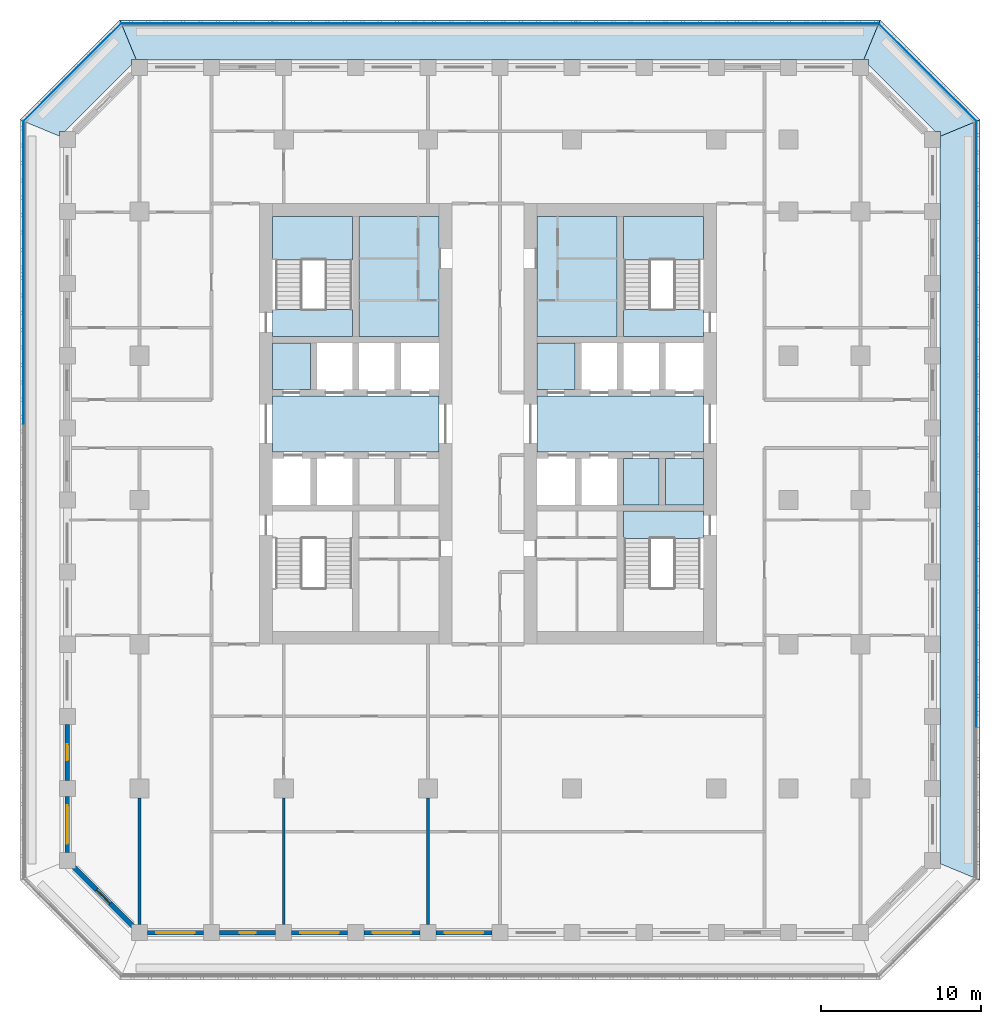
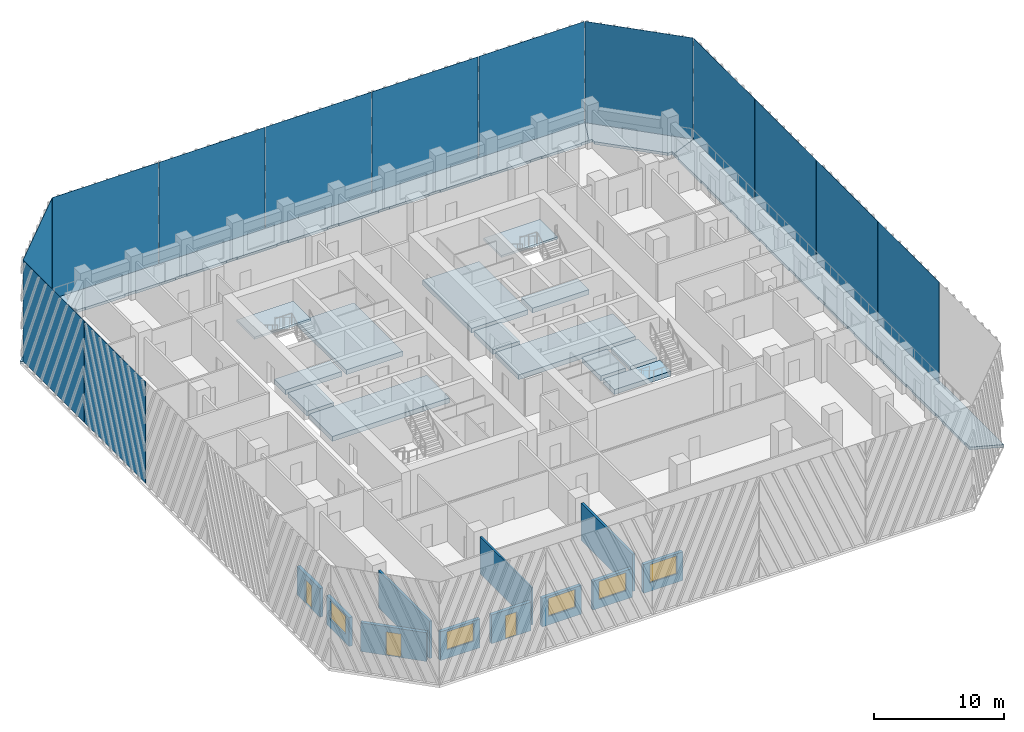
# One storey, part 2 of 17: 17 slabs, 13 plates, 11 walls, 5 windows, 3 doors, 8 openings, 2 elements without a shape of their own.
"""IFC4 building model written with IfcOpenShell, lengths in metres."""

import ifcopenshell
import ifcopenshell.guid

model = None  # the IFC model being written
_history = None  # IfcOwnerHistory: only IFC2X3 demands one
_inside = {}  # id of a spatial element -> (the spatial element, [elements in it])
_under = {}  # id of a project, library or spatial element -> (it, [spatial elements below it])
_declared = {}  # id of a project -> (the project, [libraries it declares])
_typed = {}  # id of a type object -> (the type object, [elements of that type])
_made_of = {}  # id of a material, layer set ... -> (it, [elements and type objects made of it])


def new_model(schema):
    """Start an empty IFC model of exactly this schema.

    Asked for "IFC4X3", IfcOpenShell would pick the latest addendum, in which some entities
    have other attributes; the version numbers below select the first issue.
    IFC2X3 requires an IfcOwnerHistory on every rooted entity: one is made here for all.
    """
    global model, _history
    if schema == "IFC4X3":
        model = ifcopenshell.file(schema_version=(4, 3, 0, 0))
    else:
        model = ifcopenshell.file(schema=schema)
    _inside.clear()
    _under.clear()
    _declared.clear()
    _typed.clear()
    _made_of.clear()
    _history = None
    if model.schema == "IFC2X3":
        org = make("IfcOrganization", Name="unknown")
        user = make(
            "IfcPersonAndOrganization",
            ThePerson=make("IfcPerson", FamilyName="unknown"),
            TheOrganization=org,
        )
        app = make(
            "IfcApplication",
            ApplicationDeveloper=org,
            Version="unknown",
            ApplicationFullName="unknown",
            ApplicationIdentifier="unknown",
        )
        _history = make(
            "IfcOwnerHistory",
            OwningUser=user,
            OwningApplication=app,
            ChangeAction="ADDED",
            CreationDate=0,
        )
    return model


def make(cls, **values):
    """One entity of the class cls with the attributes given. An attribute that is None is left unset."""
    return model.create_entity(
        cls, **{name: value for name, value in values.items() if value is not None}
    )


def rooted(cls, **values):
    """An entity with a GlobalId (a new one), such as an element, a storey or a relation."""
    return make(cls, GlobalId=ifcopenshell.guid.new(), OwnerHistory=_history, **values)


def si_unit(unit_type, name, prefix=None):
    """IfcSIUnit, for example si_unit("LENGTHUNIT", "METRE", prefix="MILLI")."""
    return make("IfcSIUnit", UnitType=unit_type, Prefix=prefix, Name=name)


def assignment(units):
    """IfcUnitAssignment: the units of a project."""
    return None if units is None else make("IfcUnitAssignment", Units=units)


def point(xyz):
    """IfcCartesianPoint."""
    return None if xyz is None else make("IfcCartesianPoint", Coordinates=xyz)


def direction(xyz):
    """IfcDirection."""
    return None if xyz is None else make("IfcDirection", DirectionRatios=xyz)


def frame(location, z_axis=None, x_axis=None):
    """IfcAxis2Placement3D, a coordinate frame: its origin and axes. An axis left out is left unset."""
    return make(
        "IfcAxis2Placement3D",
        Location=point(location),
        Axis=direction(z_axis),
        RefDirection=direction(x_axis),
    )


def frame_2d(location, x_axis=None):
    """IfcAxis2Placement2D, a coordinate frame in the plane: its origin and x axis."""
    return make(
        "IfcAxis2Placement2D", Location=point(location), RefDirection=direction(x_axis)
    )


def origin():
    """The frame at (0, 0, 0) with its axes left unset."""
    return frame((0.0, 0.0, 0.0))


def origin_2d():
    """The frame at (0, 0) in the plane with its x axis left unset."""
    return frame_2d((0.0, 0.0))


def place(relative_to, where):
    """IfcLocalPlacement: puts the frame where relative to a parent placement (None: the world)."""
    return make(
        "IfcLocalPlacement", PlacementRelTo=relative_to, RelativePlacement=where
    )


def context(
    kind, dimensions, precision=None, world=None, true_north=None, identifier=None
):
    """IfcGeometricRepresentationContext, for example the 3D "Model" context."""
    return make(
        "IfcGeometricRepresentationContext",
        ContextIdentifier=identifier,
        ContextType=kind,
        CoordinateSpaceDimension=dimensions,
        Precision=precision,
        WorldCoordinateSystem=world,
        TrueNorth=true_north,
    )


def subcontext(parent, identifier, kind, view, scale=None):
    """IfcGeometricRepresentationSubContext, for example "Body" below "Model"."""
    return make(
        "IfcGeometricRepresentationSubContext",
        ContextIdentifier=identifier,
        ContextType=kind,
        ParentContext=parent,
        TargetScale=scale,
        TargetView=view,
    )


def project(units=None, contexts=None):
    """IfcProject with its units and contexts."""
    return rooted(
        "IfcProject",
        Name="project",
        RepresentationContexts=contexts,
        UnitsInContext=assignment(units),
    )


def spatial(cls, under=None, at=None, **own):
    """A site, building, storey or space (cls), placed at a placement, below another one or the project."""
    s = rooted(cls, ObjectPlacement=at, **own)
    if under is not None:
        _under.setdefault(under.id(), (under, []))[1].append(s)
    return s


def polyline(points):
    """IfcPolyline through the points."""
    return make("IfcPolyline", Points=[point(p) for p in points])


def profile(cls, at=None, kind="AREA", **sizes):
    """A parametric profile (cls). Its sizes go by their IFC names, for example OverallWidth=200.0."""
    return make(cls, ProfileType=kind, Position=at, **sizes)


def rectangle(**sizes):
    """IfcRectangleProfileDef."""
    return profile("IfcRectangleProfileDef", **sizes)


def outline(outer, holes=None, kind="AREA"):
    """IfcArbitraryClosedProfileDef: a profile drawn as a closed curve; with holes, ...WithVoids."""
    if holes is None:
        return make("IfcArbitraryClosedProfileDef", ProfileType=kind, OuterCurve=outer)
    return make(
        "IfcArbitraryProfileDefWithVoids",
        ProfileType=kind,
        OuterCurve=outer,
        InnerCurves=holes,
    )


def extrude(swept, where, along, depth):
    """IfcExtrudedAreaSolid: the profile swept, set in the frame where, extruded along a direction by depth."""
    return make(
        "IfcExtrudedAreaSolid",
        SweptArea=swept,
        Position=where,
        ExtrudedDirection=direction(along),
        Depth=depth,
    )


def shape(context_of_items, identifier, shape_type, items):
    """IfcShapeRepresentation: the items that make up one representation, for example the "Body"."""
    return make(
        "IfcShapeRepresentation",
        ContextOfItems=context_of_items,
        RepresentationIdentifier=identifier,
        RepresentationType=shape_type,
        Items=items,
    )


def material(Name=None, Category=None):
    """IfcMaterial."""
    return make("IfcMaterial", Name=Name, Category=Category)


def layer(
    of_material, thickness, ventilated=None, Name=None, Category=None, Priority=None
):
    """IfcMaterialLayer: one layer of a wall or slab, of a material (None: an air gap)."""
    return make(
        "IfcMaterialLayer",
        Material=of_material,
        LayerThickness=thickness,
        IsVentilated=ventilated,
        Name=Name,
        Category=Category,
        Priority=Priority,
    )


def layer_set(layers, Name=None):
    """IfcMaterialLayerSet."""
    return make("IfcMaterialLayerSet", MaterialLayers=layers, LayerSetName=Name)


def made_of(thing, what):
    """Note that an element or type object is made of a material, layer set ...; save() writes the relation."""
    if what is not None:
        _made_of.setdefault(what.id(), (what, []))[1].append(thing)
    return thing


def type_object(cls, material=None, **own):
    """A type object (cls), such as IfcWallType, which elements share."""
    return made_of(rooted(cls, **own), material)


def element(
    cls,
    number,
    at=None,
    inside=None,
    cuts=None,
    type_object=None,
    material=None,
    context=None,
    identifier="Body",
    shape_type=None,
    held_by="IfcProductDefinitionShape",
    body=None,
    shapes=None,
    **own,
):
    """One element of the class cls, such as IfcWall. Its Tag is "e" and its number.

    at: its placement. inside: the storey or other place that contains it. cuts: it is an
    opening in that element (IfcRelVoidsElement). A single representation is given by context,
    identifier, shape_type and body (its items); several are given by shapes. held_by: the class
    of the entity that holds the representations. save() writes the other relations.
    """
    e = rooted(cls, Tag="e%d" % number, ObjectPlacement=at, **own)
    if body is not None:
        shapes = [shape(context, identifier, shape_type, body)]
    if shapes is not None:
        e.Representation = make(held_by, Representations=shapes)
    if inside is not None:
        _inside.setdefault(inside.id(), (inside, []))[1].append(e)
    if cuts is not None:
        rooted(
            "IfcRelVoidsElement", RelatingBuildingElement=cuts, RelatedOpeningElement=e
        )
    if type_object is not None:
        _typed.setdefault(type_object.id(), (type_object, []))[1].append(e)
    return made_of(e, material)


def fill(opening, filler):
    """IfcRelFillsElement: the door or window that sits in an opening."""
    return rooted(
        "IfcRelFillsElement",
        RelatingOpeningElement=opening,
        RelatedBuildingElement=filler,
    )


def aggregate(whole, parts):
    """IfcRelAggregates: a whole, such as a stair, and the parts it consists of."""
    return rooted("IfcRelAggregates", RelatingObject=whole, RelatedObjects=parts)


def save(model, path):
    """Write the relations noted so far, then the file.

    IfcRelAggregates (storeys below a building ...), IfcRelContainedInSpatialStructure (elements
    in a storey), IfcRelDefinesByType, IfcRelAssociatesMaterial and IfcRelDeclares: one each for
    every whole, place, type object, material and project.
    """
    for whole, parts in _under.values():
        aggregate(whole, parts)
    for where, things in _inside.values():
        rooted(
            "IfcRelContainedInSpatialStructure",
            RelatedElements=things,
            RelatingStructure=where,
        )
    for kind, things in _typed.values():
        rooted("IfcRelDefinesByType", RelatedObjects=things, RelatingType=kind)
    for what, things in _made_of.values():
        rooted("IfcRelAssociatesMaterial", RelatedObjects=things, RelatingMaterial=what)
    for by, libraries in _declared.values():
        rooted("IfcRelDeclares", RelatingContext=by, RelatedDefinitions=libraries)
    model.write(path)


model = new_model("IFC4")

# Units and contexts
model_context = context("Model", 3, precision=1e-05, world=origin(), true_north=direction((0.0, 1.0)))
body_context = subcontext(model_context, "Body", "Model", "MODEL_VIEW")
ifc_project = project(units=[si_unit("LENGTHUNIT", "METRE"), si_unit("AREAUNIT", "SQUARE_METRE"), si_unit("VOLUMEUNIT", "CUBIC_METRE"), si_unit("PLANEANGLEUNIT", "RADIAN"), si_unit("MASSUNIT", "GRAM", prefix="KILO")], contexts=[model_context])

# Site, building, storey
site_placement = place(None, origin())
site = spatial("IfcSite", under=ifc_project, at=site_placement, CompositionType="ELEMENT")
building_placement = place(site_placement, origin())
building = spatial("IfcBuilding", under=site, at=building_placement, Name="Corbel Stack Research Tower", CompositionType="ELEMENT")
storey_placement = place(building_placement, frame((0.0, 0.0, 216.10009765625)))
storey = spatial("IfcBuildingStorey", under=building, at=storey_placement, Name="L49", CompositionType="ELEMENT", Elevation=216.10009765625)

# Plates
ifc_material_1 = material(Name="Fritted glass", Category="glass")
ifc_layer_1 = layer(ifc_material_1, 0.02490234375)
ifc_layer_set_1 = layer_set([ifc_layer_1], Name="Fritted glass")
plate_type = type_object("IfcPlateType", Name="Fritted glass panel 25", PredefinedType="SHEET", material=ifc_layer_set_1)
for number, where, z_axis, x_axis, name in (
    (1, (34.237548828125, -9.45556640625, 0.0), (0.0, 0.0, 1.0), (0.0, 1.0, 0.0), "Fritted glass L49 E2"),
    (2, (34.237548828125, 0.0, 0.0), (0.0, 0.0, 1.0), (0.0, 1.0, 0.0), "Fritted glass L49 E3"),
    (3, (34.237548828125, 9.45556640625, 0.0), (0.0, 0.0, 1.0), (0.0, 1.0, 0.0), "Fritted glass L49 E4"),
    (4, (34.237548828125, 18.911376953125, 0.0), (0.0, 0.0, 1.0), (0.0, 1.0, 0.0), "Fritted glass L49 E5"),
):
    element("IfcPlate", number, at=place(storey_placement, frame(where, z_axis=z_axis, x_axis=x_axis)), inside=storey, type_object=plate_type, Name=name, PredefinedType="SHEET", context=body_context, shape_type="SweptSolid", body=[
        extrude(rectangle(XDim=9.3955078125, YDim=0.02490234375, at=origin_2d()), origin(), (0.0, 0.0, 1.0), 9.5),
    ])
plate_1_placement = place(storey_placement, frame((31.185791015625, 26.685791015625, 0.0), z_axis=(0.0, 0.0, 1.0), x_axis=(-0.707106781187, 0.707106781187, 0.0)))
element("IfcPlate", 5, at=plate_1_placement, inside=storey, type_object=plate_type, Name="Fritted glass L49 NE1", PredefinedType="SHEET", context=body_context, shape_type="SweptSolid", body=[
    extrude(rectangle(XDim=8.58203125, YDim=0.02490234375, at=origin_2d()), origin(), (0.0, 0.0, 1.0), 9.5),
])
for number, where, z_axis, x_axis, name in (
    (6, (23.411376953125, 29.737548828125, 0.0), (0.0, 0.0, 1.0), (-1.0, 0.0, 0.0), "Fritted glass L49 N1"),
    (7, (13.95556640625, 29.737548828125, 0.0), (0.0, 0.0, 1.0), (-1.0, 0.0, 0.0), "Fritted glass L49 N2"),
    (8, (4.5, 29.737548828125, 0.0), (0.0, 0.0, 1.0), (-1.0, 0.0, 0.0), "Fritted glass L49 N3"),
    (9, (-4.95556640625, 29.737548828125, 0.0), (0.0, 0.0, 1.0), (-1.0, 0.0, 0.0), "Fritted glass L49 N4"),
    (10, (-14.411376953125, 29.737548828125, 0.0), (0.0, 0.0, 1.0), (-1.0, 0.0, 0.0), "Fritted glass L49 N5"),
):
    element("IfcPlate", number, at=place(storey_placement, frame(where, z_axis=z_axis, x_axis=x_axis)), inside=storey, type_object=plate_type, Name=name, PredefinedType="SHEET", context=body_context, shape_type="SweptSolid", body=[
        extrude(rectangle(XDim=9.3955078125, YDim=0.02490234375, at=origin_2d()), origin(), (0.0, 0.0, 1.0), 9.5),
    ])
plate_2_placement = place(storey_placement, frame((-22.185791015625, 26.685791015625, 0.0), z_axis=(0.0, 0.0, 1.0), x_axis=(-0.707106781187, -0.707106781187, 0.0)))
element("IfcPlate", 11, at=plate_2_placement, inside=storey, type_object=plate_type, Name="Fritted glass L49 NW1", PredefinedType="SHEET", context=body_context, shape_type="SweptSolid", body=[
    extrude(rectangle(XDim=8.58203125, YDim=0.02490234375, at=origin_2d()), origin(), (0.0, 0.0, 1.0), 9.5),
])
for number, where, z_axis, x_axis, name in (
    (12, (-25.237548828125, 18.911376953125, 0.0), (0.0, 0.0, 1.0), (0.0, -1.0, 0.0), "Fritted glass L49 W1"),
    (13, (-25.237548828125, 9.45556640625, 0.0), (0.0, 0.0, 1.0), (0.0, -1.0, 0.0), "Fritted glass L49 W2"),
):
    element("IfcPlate", number, at=place(storey_placement, frame(where, z_axis=z_axis, x_axis=x_axis)), inside=storey, type_object=plate_type, Name=name, PredefinedType="SHEET", context=body_context, shape_type="SweptSolid", body=[
        extrude(rectangle(XDim=9.3955078125, YDim=0.02490234375, at=origin_2d()), origin(), (0.0, 0.0, 1.0), 9.5),
    ])

# Slabs
ifc_material_2 = material(Name="Concrete C45/55", Category="concrete")
ifc_layer_2 = layer(ifc_material_2, 0.25)
ifc_layer_set_2 = layer_set([ifc_layer_2], Name="Concrete C45/55")
slab_type_1 = type_object("IfcSlabType", Name="PT balcony slab 250 C45/55", PredefinedType="FLOOR", material=ifc_layer_set_2)
slab_1_placement = place(storey_placement, frame((0.0, 0.0, -0.25)))
element("IfcSlab", 14, at=slab_1_placement, inside=storey, type_object=slab_type_1, Name="Loggia slab L49 E", PredefinedType="FLOOR", context=body_context, shape_type="SweptSolid", body=[
    extrude(outline(polyline([(32.0, 22.70703125), (32.0, 22.0), (31.949951171875, 22.0), (31.949951171875, 18.5), (32.0, 18.5), (32.0, 17.5), (31.949951171875, 17.5), (31.949951171875, 14.0), (32.0, 14.0), (32.0, 13.0), (31.949951171875, 13.0), (31.949951171875, 9.5), (32.0, 9.5), (32.0, 8.5), (31.949951171875, 8.5), (31.949951171875, 5.0), (32.0, 5.0), (32.0, 4.0), (31.949951171875, 4.0), (31.949951171875, 0.5), (32.0, 0.5), (32.0, -0.5), (31.949951171875, -0.5), (31.949951171875, -4.0), (32.0, -4.0), (32.0, -5.0), (31.949951171875, -5.0), (31.949951171875, -8.5), (32.0, -8.5), (32.0, -9.5), (31.949951171875, -9.5), (31.949951171875, -13.0), (32.0, -13.0), (32.0, -14.0), (31.949951171875, -14.0), (31.949951171875, -17.5), (32.0, -17.5), (32.0, -18.5), (31.949951171875, -18.5), (31.949951171875, -22.0), (32.0, -22.0), (32.0, -22.70703125), (34.449951171875, -23.721923828125), (34.449951171875, 23.721923828125), (32.0, 22.70703125)])), origin(), (0.0, 0.0, 1.0), 0.25),
])
slab_2_placement = place(storey_placement, frame((0.0, 0.0, -0.25)))
element("IfcSlab", 15, at=slab_2_placement, inside=storey, type_object=slab_type_1, Name="Loggia slab L49 NE", PredefinedType="FLOOR", context=body_context, shape_type="SweptSolid", body=[
    extrude(outline(polyline([(27.20703125, 27.5), (27.5, 27.5), (27.5, 27.136474609375), (31.636474609375, 23.0), (32.0, 23.0), (32.0, 22.70703125), (34.449951171875, 23.721923828125), (28.221923828125, 29.949951171875), (27.20703125, 27.5)])), origin(), (0.0, 0.0, 1.0), 0.25),
])
slab_3_placement = place(storey_placement, frame((0.0, 0.0, -0.25)))
element("IfcSlab", 16, at=slab_3_placement, inside=storey, type_object=slab_type_1, Name="Loggia slab L49 N", PredefinedType="FLOOR", context=body_context, shape_type="SweptSolid", body=[
    extrude(outline(polyline([(-18.20703125, 27.5), (-17.5, 27.5), (-17.5, 27.449951171875), (-14.0, 27.449951171875), (-14.0, 27.5), (-13.0, 27.5), (-13.0, 27.449951171875), (-9.5, 27.449951171875), (-9.5, 27.5), (-8.5, 27.5), (-8.5, 27.449951171875), (-5.0, 27.449951171875), (-5.0, 27.5), (-4.0, 27.5), (-4.0, 27.449951171875), (-0.5, 27.449951171875), (-0.5, 27.5), (0.5, 27.5), (0.5, 27.449951171875), (4.0, 27.449951171875), (4.0, 27.5), (5.0, 27.5), (5.0, 27.449951171875), (8.5, 27.449951171875), (8.5, 27.5), (9.5, 27.5), (9.5, 27.449951171875), (13.0, 27.449951171875), (13.0, 27.5), (14.0, 27.5), (14.0, 27.449951171875), (17.5, 27.449951171875), (17.5, 27.5), (18.5, 27.5), (18.5, 27.449951171875), (22.0, 27.449951171875), (22.0, 27.5), (23.0, 27.5), (23.0, 27.449951171875), (26.5, 27.449951171875), (26.5, 27.5), (27.20703125, 27.5), (28.221923828125, 29.949951171875), (-19.221923828125, 29.949951171875), (-18.20703125, 27.5)])), origin(), (0.0, 0.0, 1.0), 0.25),
])
slab_4_placement = place(storey_placement, frame((0.0, 0.0, -0.25)))
element("IfcSlab", 17, at=slab_4_placement, inside=storey, type_object=slab_type_1, Name="Loggia slab L49 NW", PredefinedType="FLOOR", context=body_context, shape_type="SweptSolid", body=[
    extrude(outline(polyline([(-23.0, 22.70703125), (-23.0, 23.0), (-22.636474609375, 23.0), (-18.5, 27.136474609375), (-18.5, 27.5), (-18.20703125, 27.5), (-19.221923828125, 29.949951171875), (-25.449951171875, 23.721923828125), (-23.0, 22.70703125)])), origin(), (0.0, 0.0, 1.0), 0.25),
])
ifc_material_3 = material(Name="Concrete C45/55", Category="concrete")
ifc_layer_3 = layer(ifc_material_3, 0.449951171875)
ifc_layer_set_3 = layer_set([ifc_layer_3], Name="Concrete C45/55")
slab_type_2 = type_object("IfcSlabType", Name="PT-450", PredefinedType="FLOOR", material=ifc_layer_set_3)
slab_5_placement = place(storey_placement, frame((0.0, 0.0, -0.4501953125)))
element("IfcSlab", 18, at=slab_5_placement, inside=storey, type_object=slab_type_2, Name="West core floor L49", PredefinedType="FLOOR", context=body_context, shape_type="SweptSolid", body=[
    extrude(outline(polyline([(0.699951171875, 6.5), (-9.699951171875, 6.5), (-9.699951171875, 3.0), (0.699951171875, 3.0), (0.699951171875, 6.5)])), origin(), (0.0, 0.0, 1.0), 0.4501953125),
])
slab_6_placement = place(storey_placement, frame((0.0, 0.0, -0.4501953125)))
element("IfcSlab", 19, at=slab_6_placement, inside=storey, type_object=slab_type_2, Name="West core floor L49", PredefinedType="FLOOR", context=body_context, shape_type="SweptSolid", body=[
    extrude(outline(polyline([(-9.699951171875, 6.89990234375), (-7.324951171875, 6.89990234375), (-7.324951171875, 9.800048828125), (-9.699951171875, 9.800048828125), (-9.699951171875, 6.89990234375)])), origin(), (0.0, 0.0, 1.0), 0.4501953125),
])
slab_7_placement = place(storey_placement, frame((0.0, 0.0, -0.4501953125)))
element("IfcSlab", 20, at=slab_7_placement, inside=storey, type_object=slab_type_2, Name="West core floor L49", PredefinedType="FLOOR", context=body_context, shape_type="SweptSolid", body=[
    extrude(outline(polyline([(0.699951171875, 17.699951171875), (-4.300048828125, 17.699951171875), (-4.300048828125, 10.199951171875), (0.699951171875, 10.199951171875), (0.699951171875, 17.699951171875)])), origin(), (0.0, 0.0, 1.0), 0.4501953125),
])
slab_8_placement = place(storey_placement, frame((0.0, 0.0, -0.4501953125)))
element("IfcSlab", 21, at=slab_8_placement, inside=storey, type_object=slab_type_2, Name="East core floor L49", PredefinedType="FLOOR", context=body_context, shape_type="SweptSolid", body=[
    extrude(outline(polyline([(17.199951171875, 6.5), (6.800048828125, 6.5), (6.800048828125, 3.0), (17.199951171875, 3.0), (17.199951171875, 6.5)])), origin(), (0.0, 0.0, 1.0), 0.4501953125),
])
slab_9_placement = place(storey_placement, frame((0.0, 0.0, -0.4501953125)))
element("IfcSlab", 22, at=slab_9_placement, inside=storey, type_object=slab_type_2, Name="East core floor L49", PredefinedType="FLOOR", context=body_context, shape_type="SweptSolid", body=[
    extrude(outline(polyline([(6.800048828125, 6.89990234375), (9.175048828125, 6.89990234375), (9.175048828125, 9.800048828125), (6.800048828125, 9.800048828125), (6.800048828125, 6.89990234375)])), origin(), (0.0, 0.0, 1.0), 0.4501953125),
])
slab_10_placement = place(storey_placement, frame((0.0, 0.0, -0.4501953125)))
element("IfcSlab", 23, at=slab_10_placement, inside=storey, type_object=slab_type_2, Name="East core floor L49", PredefinedType="FLOOR", context=body_context, shape_type="SweptSolid", body=[
    extrude(outline(polyline([(6.800048828125, 17.699951171875), (6.800048828125, 10.199951171875), (11.800048828125, 10.199951171875), (11.800048828125, 17.699951171875), (6.800048828125, 17.699951171875)])), origin(), (0.0, 0.0, 1.0), 0.4501953125),
])
slab_11_placement = place(storey_placement, frame((0.0, 0.0, -0.4501953125)))
element("IfcSlab", 24, at=slab_11_placement, inside=storey, type_object=slab_type_2, Name="East core floor L49", PredefinedType="FLOOR", context=body_context, shape_type="SweptSolid", body=[
    extrude(outline(polyline([(14.425048828125, -0.300048828125), (14.425048828125, 2.60009765625), (12.199951171875, 2.60009765625), (12.199951171875, -0.300048828125), (14.425048828125, -0.300048828125)])), origin(), (0.0, 0.0, 1.0), 0.4501953125),
])
slab_12_placement = place(storey_placement, frame((0.0, 0.0, -0.4501953125)))
element("IfcSlab", 25, at=slab_12_placement, inside=storey, type_object=slab_type_2, Name="East core floor L49", PredefinedType="FLOOR", context=body_context, shape_type="SweptSolid", body=[
    extrude(outline(polyline([(17.199951171875, -0.300048828125), (17.199951171875, 2.60009765625), (14.824951171875, 2.60009765625), (14.824951171875, -0.300048828125), (17.199951171875, -0.300048828125)])), origin(), (0.0, 0.0, 1.0), 0.4501953125),
])
slab_13_placement = place(storey_placement, frame((0.0, 0.0, -0.4501953125)))
element("IfcSlab", 26, at=slab_13_placement, inside=storey, type_object=slab_type_2, Name="Stair floor landing ST-W2", PredefinedType="FLOOR", context=body_context, shape_type="SweptSolid", body=[
    extrude(outline(polyline([(-9.699951171875, 10.199951171875), (-4.699951171875, 10.199951171875), (-4.699951171875, 11.89990234375), (-9.699951171875, 11.89990234375), (-9.699951171875, 10.199951171875)])), origin(), (0.0, 0.0, 1.0), 0.4501953125),
])
slab_14_placement = place(storey_placement, frame((0.0, 0.0, -0.4501953125)))
element("IfcSlab", 27, at=slab_14_placement, inside=storey, type_object=slab_type_2, Name="Stair floor landing ST-E1", PredefinedType="FLOOR", context=body_context, shape_type="SweptSolid", body=[
    extrude(outline(polyline([(12.199951171875, -2.39990234375), (17.199951171875, -2.39990234375), (17.199951171875, -0.699951171875), (12.199951171875, -0.699951171875), (12.199951171875, -2.39990234375)])), origin(), (0.0, 0.0, 1.0), 0.4501953125),
])
slab_15_placement = place(storey_placement, frame((0.0, 0.0, -0.4501953125)))
element("IfcSlab", 28, at=slab_15_placement, inside=storey, type_object=slab_type_2, Name="Stair floor landing ST-E2", PredefinedType="FLOOR", context=body_context, shape_type="SweptSolid", body=[
    extrude(outline(polyline([(12.199951171875, 10.199951171875), (17.199951171875, 10.199951171875), (17.199951171875, 11.89990234375), (12.199951171875, 11.89990234375), (12.199951171875, 10.199951171875)])), origin(), (0.0, 0.0, 1.0), 0.4501953125),
])

# Stair, slab
ifc_material_4 = material(Name="Concrete C40/50", Category="concrete")
stair_type = type_object("IfcStairType", Name="Exit stair 24 risers", PredefinedType="HALF_TURN_STAIR", material=ifc_material_4)
stair_1_placement = place(storey_placement, origin())
stair_1 = element("IfcStair", 29, at=stair_1_placement, inside=storey, type_object=stair_type, Name="L49 Exit stair ST-W2", PredefinedType="HALF_TURN_STAIR")
ifc_material_5 = material(Name="Concrete C40/50", Category="concrete")
ifc_layer_4 = layer(ifc_material_5, 0.199951171875)
ifc_layer_set_4 = layer_set([ifc_layer_4], Name="Concrete C40/50")
slab_type_3 = type_object("IfcSlabType", Name="Stair landing 200 C40/50", PredefinedType="LANDING", material=ifc_layer_set_4)
slab_16_placement = place(storey_placement, frame((0.0, 0.0, 1.849853515625)))
slab_16 = element("IfcSlab", 30, at=slab_16_placement, type_object=slab_type_3, Name="ST-W2 landing 1", PredefinedType="LANDING", context=body_context, shape_type="SweptSolid", body=[
    extrude(outline(polyline([(-9.699951171875, 14.97998046875), (-9.699951171875, 17.699951171875), (-4.699951171875, 17.699951171875), (-4.699951171875, 14.97998046875), (-9.699951171875, 14.97998046875)])), origin(), (0.0, 0.0, 1.0), 0.199951171875),
])
aggregate(stair_1, [slab_16])

stair_2_placement = place(storey_placement, origin())
stair_2 = element("IfcStair", 31, at=stair_2_placement, inside=storey, type_object=stair_type, Name="L49 Exit stair ST-E2", PredefinedType="HALF_TURN_STAIR")
slab_17_placement = place(storey_placement, frame((0.0, 0.0, 1.849853515625)))
slab_17 = element("IfcSlab", 32, at=slab_17_placement, type_object=slab_type_3, Name="ST-E2 landing 1", PredefinedType="LANDING", context=body_context, shape_type="SweptSolid", body=[
    extrude(outline(polyline([(12.199951171875, 14.97998046875), (12.199951171875, 17.699951171875), (17.199951171875, 17.699951171875), (17.199951171875, 14.97998046875), (12.199951171875, 14.97998046875)])), origin(), (0.0, 0.0, 1.0), 0.199951171875),
])
aggregate(stair_2, [slab_17])

# Walls
ifc_material_6 = material(Name="Fire-rated gypsum board partition on steel studs", Category="steel")
ifc_layer_5 = layer(ifc_material_6, 0.199951171875)
ifc_layer_set_5 = layer_set([ifc_layer_5], Name="Fire-rated gypsum board partition on steel studs")
wall_type_1 = type_object("IfcWallType", Name="Fire-rated partition 200 EI 60", PredefinedType="PARTITIONING", material=ifc_layer_set_5)
for number, where, z_axis, x_axis, name in (
    (33, (-18.0, -26.5, 0.0), (0.0, 0.0, 1.0), (0.0, 1.0, 0.0), "Partition L49-001"),
    (34, (0.0, -26.5, 0.0), (0.0, 0.0, 1.0), (0.0, 1.0, 0.0), "Partition L49-014"),
):
    element("IfcWall", number, at=place(storey_placement, frame(where, z_axis=z_axis, x_axis=x_axis)), inside=storey, type_object=wall_type_1, Name=name, PredefinedType="PARTITIONING", context=body_context, shape_type="SweptSolid", body=[
        extrude(rectangle(XDim=7.89990234375, YDim=0.199951171875, at=frame_2d((3.949951171875, 0.0))), origin(), (0.0, 0.0, 1.0), 3.5),
    ])
ifc_material_7 = material(Name="Gypsum board partition on steel studs", Category="steel")
ifc_layer_6 = layer(ifc_material_7, 0.14990234375)
ifc_layer_set_6 = layer_set([ifc_layer_6], Name="Gypsum board partition on steel studs")
wall_type_2 = type_object("IfcWallType", Name="Partition 150", PredefinedType="PARTITIONING", material=ifc_layer_set_6)
wall_1_placement = place(storey_placement, frame((-9.0, -26.5, 0.0), z_axis=(0.0, 0.0, 1.0), x_axis=(0.0, 1.0, 0.0)))
element("IfcWall", 35, at=wall_1_placement, inside=storey, type_object=wall_type_2, Name="Partition L49-010", PredefinedType="PARTITIONING", context=body_context, shape_type="SweptSolid", body=[
    extrude(rectangle(XDim=7.89990234375, YDim=0.14990234375, at=frame_2d((3.949951171875, 0.0))), origin(), (0.0, 0.0, 1.0), 3.5),
])

# Wall, opening, window
ifc_material_8 = material(Name="Concrete C45/55", Category="concrete")
ifc_layer_7 = layer(ifc_material_8, 0.300048828125)
ifc_layer_set_7 = layer_set([ifc_layer_7], Name="Concrete C45/55")
wall_type_3 = type_object("IfcWallType", Name="Terracotta-faced concrete wall 300", PredefinedType="SOLIDWALL", material=ifc_layer_set_7)
wall_2_placement = place(storey_placement, frame((-14.0, -27.0, 0.0), z_axis=(0.0, 0.0, 1.0), x_axis=(-1.0, 0.0, 0.0)))
wall_2 = element("IfcWall", 36, at=wall_2_placement, inside=storey, type_object=wall_type_3, Name="Facade wall L49 S01", PredefinedType="SOLIDWALL", context=body_context, shape_type="SweptSolid", body=[
    extrude(rectangle(XDim=3.5, YDim=0.300048828125, at=frame_2d((1.75, 0.0))), origin(), (0.0, 0.0, 1.0), 2.699951171875),
])
opening_1_placement = place(wall_2_placement, frame((0.550048828125, 0.0, 0.800048828125)))
opening_1 = element("IfcOpeningElement", 37, at=opening_1_placement, cuts=wall_2, Name="Opening W1", PredefinedType="OPENING", context=body_context, shape_type="SweptSolid", body=[
    extrude(rectangle(XDim=2.39990234375, YDim=1.699951171875, at=frame_2d((1.199951171875, 0.85009765625))), frame((0.0, 0.159912109375, 0.0), z_axis=(0.0, -1.0, 0.0), x_axis=(1.0, 0.0, 0.0)), (0.0, 0.0, 1.0), 0.320068359375),
])
ifc_material_9 = material(Name="Aluminium frame, clear double glazing", Category="aluminium")
window_type = type_object("IfcWindowType", Name="Window W1 2400 x 1700", PartitioningType="SINGLE_PANEL", PredefinedType="WINDOW", material=ifc_material_9)
window_1_placement = place(opening_1_placement, origin())
window_1 = element("IfcWindow", 38, at=window_1_placement, inside=storey, type_object=window_type, Name="Window W1 L49 S01", OverallHeight=1.699951171875, OverallWidth=2.39990234375, PartitioningType="SINGLE_PANEL", PredefinedType="WINDOW", context=body_context, shape_type="SweptSolid", body=[
    extrude(rectangle(XDim=2.39990234375, YDim=1.699951171875, at=frame_2d((1.199951171875, 0.85009765625))), frame((0.0, 0.030029296875, 0.0), z_axis=(0.0, -1.0, 0.0), x_axis=(1.0, 0.0, 0.0)), (0.0, 0.0, 1.0), 0.06005859375),
])
fill(opening_1, window_1)

# Wall, opening, door
wall_3_placement = place(storey_placement, frame((-9.5, -27.0, 0.0), z_axis=(0.0, 0.0, 1.0), x_axis=(-1.0, 0.0, 0.0)))
wall_3 = element("IfcWall", 39, at=wall_3_placement, inside=storey, type_object=wall_type_3, Name="Facade wall L49 S02", PredefinedType="SOLIDWALL", context=body_context, shape_type="SweptSolid", body=[
    extrude(rectangle(XDim=3.5, YDim=0.300048828125, at=frame_2d((1.75, 0.0))), origin(), (0.0, 0.0, 1.0), 2.699951171875),
])
opening_2_placement = place(wall_3_placement, frame((1.25, 0.0, 0.0)))
opening_2 = element("IfcOpeningElement", 40, at=opening_2_placement, cuts=wall_3, Name="Opening L49-B01", PredefinedType="OPENING", context=body_context, shape_type="SweptSolid", body=[
    extrude(rectangle(XDim=1.0, YDim=2.199951171875, at=frame_2d((0.5, 1.10009765625))), frame((0.0, 0.159912109375, 0.0), z_axis=(0.0, -1.0, 0.0), x_axis=(1.0, 0.0, 0.0)), (0.0, 0.0, 1.0), 0.320068359375),
])
ifc_material_10 = material(Name="Aluminium frame, clear double glazing", Category="aluminium")
door_type_1 = type_object("IfcDoorType", Name="Balcony door BD1 1000 x 2200", OperationType="NOTDEFINED", PredefinedType="DOOR", material=ifc_material_10)
door_1_placement = place(opening_2_placement, origin())
door_1 = element("IfcDoor", 41, at=door_1_placement, inside=storey, type_object=door_type_1, Name="Balcony door L49-B01", OperationType="SINGLE_SWING_LEFT", OverallHeight=2.199951171875, OverallWidth=1.0, PredefinedType="DOOR", context=body_context, shape_type="SweptSolid", body=[
    extrude(rectangle(XDim=1.0, YDim=2.199951171875, at=frame_2d((0.5, 1.10009765625))), frame((0.0, 0.02490234375, 0.0), z_axis=(0.0, -1.0, 0.0), x_axis=(1.0, 0.0, 0.0)), (0.0, 0.0, 1.0), 0.050048828125),
])
fill(opening_2, door_1)

# Wall, opening, window
wall_4_placement = place(storey_placement, frame((-5.0, -27.0, 0.0), z_axis=(0.0, 0.0, 1.0), x_axis=(-1.0, 0.0, 0.0)))
wall_4 = element("IfcWall", 42, at=wall_4_placement, inside=storey, type_object=wall_type_3, Name="Facade wall L49 S03", PredefinedType="SOLIDWALL", context=body_context, shape_type="SweptSolid", body=[
    extrude(rectangle(XDim=3.5, YDim=0.300048828125, at=frame_2d((1.75, 0.0))), origin(), (0.0, 0.0, 1.0), 2.699951171875),
])
opening_3_placement = place(wall_4_placement, frame((0.550048828125, 0.0, 0.800048828125)))
opening_3 = element("IfcOpeningElement", 43, at=opening_3_placement, cuts=wall_4, Name="Opening W1", PredefinedType="OPENING", context=body_context, shape_type="SweptSolid", body=[
    extrude(rectangle(XDim=2.39990234375, YDim=1.699951171875, at=frame_2d((1.199951171875, 0.85009765625))), frame((0.0, 0.159912109375, 0.0), z_axis=(0.0, -1.0, 0.0), x_axis=(1.0, 0.0, 0.0)), (0.0, 0.0, 1.0), 0.320068359375),
])
window_2_placement = place(opening_3_placement, origin())
window_2 = element("IfcWindow", 44, at=window_2_placement, inside=storey, type_object=window_type, Name="Window W1 L49 S03", OverallHeight=1.699951171875, OverallWidth=2.39990234375, PartitioningType="SINGLE_PANEL", PredefinedType="WINDOW", context=body_context, shape_type="SweptSolid", body=[
    extrude(rectangle(XDim=2.39990234375, YDim=1.699951171875, at=frame_2d((1.199951171875, 0.85009765625))), frame((0.0, 0.030029296875, 0.0), z_axis=(0.0, -1.0, 0.0), x_axis=(1.0, 0.0, 0.0)), (0.0, 0.0, 1.0), 0.06005859375),
])
fill(opening_3, window_2)

wall_5_placement = place(storey_placement, frame((-0.5, -27.0, 0.0), z_axis=(0.0, 0.0, 1.0), x_axis=(-1.0, 0.0, 0.0)))
wall_5 = element("IfcWall", 45, at=wall_5_placement, inside=storey, type_object=wall_type_3, Name="Facade wall L49 S04", PredefinedType="SOLIDWALL", context=body_context, shape_type="SweptSolid", body=[
    extrude(rectangle(XDim=3.5, YDim=0.300048828125, at=frame_2d((1.75, 0.0))), origin(), (0.0, 0.0, 1.0), 2.699951171875),
])
opening_4_placement = place(wall_5_placement, frame((0.550048828125, 0.0, 0.800048828125)))
opening_4 = element("IfcOpeningElement", 46, at=opening_4_placement, cuts=wall_5, Name="Opening W1", PredefinedType="OPENING", context=body_context, shape_type="SweptSolid", body=[
    extrude(rectangle(XDim=2.39990234375, YDim=1.699951171875, at=frame_2d((1.199951171875, 0.85009765625))), frame((0.0, 0.159912109375, 0.0), z_axis=(0.0, -1.0, 0.0), x_axis=(1.0, 0.0, 0.0)), (0.0, 0.0, 1.0), 0.320068359375),
])
window_3_placement = place(opening_4_placement, origin())
window_3 = element("IfcWindow", 47, at=window_3_placement, inside=storey, type_object=window_type, Name="Window W1 L49 S04", OverallHeight=1.699951171875, OverallWidth=2.39990234375, PartitioningType="SINGLE_PANEL", PredefinedType="WINDOW", context=body_context, shape_type="SweptSolid", body=[
    extrude(rectangle(XDim=2.39990234375, YDim=1.699951171875, at=frame_2d((1.199951171875, 0.85009765625))), frame((0.0, 0.030029296875, 0.0), z_axis=(0.0, -1.0, 0.0), x_axis=(1.0, 0.0, 0.0)), (0.0, 0.0, 1.0), 0.06005859375),
])
fill(opening_4, window_3)

wall_6_placement = place(storey_placement, frame((4.0, -27.0, 0.0), z_axis=(0.0, 0.0, 1.0), x_axis=(-1.0, 0.0, 0.0)))
wall_6 = element("IfcWall", 48, at=wall_6_placement, inside=storey, type_object=wall_type_3, Name="Facade wall L49 S05", PredefinedType="SOLIDWALL", context=body_context, shape_type="SweptSolid", body=[
    extrude(rectangle(XDim=3.5, YDim=0.300048828125, at=frame_2d((1.75, 0.0))), origin(), (0.0, 0.0, 1.0), 2.699951171875),
])
opening_5_placement = place(wall_6_placement, frame((0.550048828125, 0.0, 0.800048828125)))
opening_5 = element("IfcOpeningElement", 49, at=opening_5_placement, cuts=wall_6, Name="Opening W1", PredefinedType="OPENING", context=body_context, shape_type="SweptSolid", body=[
    extrude(rectangle(XDim=2.39990234375, YDim=1.699951171875, at=frame_2d((1.199951171875, 0.85009765625))), frame((0.0, 0.159912109375, 0.0), z_axis=(0.0, -1.0, 0.0), x_axis=(1.0, 0.0, 0.0)), (0.0, 0.0, 1.0), 0.320068359375),
])
window_4_placement = place(opening_5_placement, origin())
window_4 = element("IfcWindow", 50, at=window_4_placement, inside=storey, type_object=window_type, Name="Window W1 L49 S05", OverallHeight=1.699951171875, OverallWidth=2.39990234375, PartitioningType="SINGLE_PANEL", PredefinedType="WINDOW", context=body_context, shape_type="SweptSolid", body=[
    extrude(rectangle(XDim=2.39990234375, YDim=1.699951171875, at=frame_2d((1.199951171875, 0.85009765625))), frame((0.0, 0.030029296875, 0.0), z_axis=(0.0, -1.0, 0.0), x_axis=(1.0, 0.0, 0.0)), (0.0, 0.0, 1.0), 0.06005859375),
])
fill(opening_5, window_4)

# Wall, opening, door
wall_7_placement = place(storey_placement, frame((-22.5, -17.5, 0.0), z_axis=(0.0, 0.0, 1.0), x_axis=(0.0, 1.0, 0.0)))
wall_7 = element("IfcWall", 51, at=wall_7_placement, inside=storey, type_object=wall_type_3, Name="Facade wall L49 W09", PredefinedType="SOLIDWALL", context=body_context, shape_type="SweptSolid", body=[
    extrude(rectangle(XDim=3.5, YDim=0.300048828125, at=frame_2d((1.75, 0.0))), origin(), (0.0, 0.0, 1.0), 2.699951171875),
])
opening_6_placement = place(wall_7_placement, frame((1.25, 0.0, 0.0)))
opening_6 = element("IfcOpeningElement", 52, at=opening_6_placement, cuts=wall_7, Name="Opening L49-B11", PredefinedType="OPENING", context=body_context, shape_type="SweptSolid", body=[
    extrude(rectangle(XDim=1.0, YDim=2.199951171875, at=frame_2d((0.5, 1.10009765625))), frame((0.0, 0.159912109375, 0.0), z_axis=(0.0, -1.0, 0.0), x_axis=(1.0, 0.0, 0.0)), (0.0, 0.0, 1.0), 0.320068359375),
])
door_2_placement = place(opening_6_placement, origin())
door_2 = element("IfcDoor", 53, at=door_2_placement, inside=storey, type_object=door_type_1, Name="Balcony door L49-B11", OperationType="SINGLE_SWING_RIGHT", OverallHeight=2.199951171875, OverallWidth=1.0, PredefinedType="DOOR", context=body_context, shape_type="SweptSolid", body=[
    extrude(rectangle(XDim=1.0, YDim=2.199951171875, at=frame_2d((0.5, 1.10009765625))), frame((0.0, 0.02490234375, 0.0), z_axis=(0.0, -1.0, 0.0), x_axis=(1.0, 0.0, 0.0)), (0.0, 0.0, 1.0), 0.050048828125),
])
fill(opening_6, door_2)

# Wall, opening, window
wall_8_placement = place(storey_placement, frame((-22.5, -22.0, 0.0), z_axis=(0.0, 0.0, 1.0), x_axis=(0.0, 1.0, 0.0)))
wall_8 = element("IfcWall", 54, at=wall_8_placement, inside=storey, type_object=wall_type_3, Name="Facade wall L49 W10", PredefinedType="SOLIDWALL", context=body_context, shape_type="SweptSolid", body=[
    extrude(rectangle(XDim=3.5, YDim=0.300048828125, at=frame_2d((1.75, 0.0))), origin(), (0.0, 0.0, 1.0), 2.699951171875),
])
opening_7_placement = place(wall_8_placement, frame((0.550048828125, 0.0, 0.800048828125)))
opening_7 = element("IfcOpeningElement", 55, at=opening_7_placement, cuts=wall_8, Name="Opening W1", PredefinedType="OPENING", context=body_context, shape_type="SweptSolid", body=[
    extrude(rectangle(XDim=2.39990234375, YDim=1.699951171875, at=frame_2d((1.199951171875, 0.85009765625))), frame((0.0, 0.159912109375, 0.0), z_axis=(0.0, -1.0, 0.0), x_axis=(1.0, 0.0, 0.0)), (0.0, 0.0, 1.0), 0.320068359375),
])
window_5_placement = place(opening_7_placement, origin())
window_5 = element("IfcWindow", 56, at=window_5_placement, inside=storey, type_object=window_type, Name="Window W1 L49 W10", OverallHeight=1.699951171875, OverallWidth=2.39990234375, PartitioningType="SINGLE_PANEL", PredefinedType="WINDOW", context=body_context, shape_type="SweptSolid", body=[
    extrude(rectangle(XDim=2.39990234375, YDim=1.699951171875, at=frame_2d((1.199951171875, 0.85009765625))), frame((0.0, 0.030029296875, 0.0), z_axis=(0.0, -1.0, 0.0), x_axis=(1.0, 0.0, 0.0)), (0.0, 0.0, 1.0), 0.06005859375),
])
fill(opening_7, window_5)

# Wall, opening, door
wall_9_placement = place(storey_placement, frame((-18.393798828125, -26.606201171875, 0.0), z_axis=(0.0, 0.0, 1.0), x_axis=(-0.707106781187, 0.707106781187, 0.0)))
wall_9 = element("IfcWall", 57, at=wall_9_placement, inside=storey, type_object=wall_type_3, Name="Facade wall L49 SW01", PredefinedType="SOLIDWALL", context=body_context, shape_type="SweptSolid", body=[
    extrude(rectangle(XDim=5.250244140625, YDim=0.300048828125, at=frame_2d((2.625, 0.0))), origin(), (0.0, 0.0, 1.0), 2.699951171875),
])
opening_8_placement = place(wall_9_placement, frame((2.02490234375, 0.0, 0.0)))
opening_8 = element("IfcOpeningElement", 58, at=opening_8_placement, cuts=wall_9, Name="Opening L49-B12", PredefinedType="OPENING", context=body_context, shape_type="SweptSolid", body=[
    extrude(rectangle(XDim=1.199951171875, YDim=2.199951171875, at=frame_2d((0.60009765625, 1.10009765625))), frame((0.0, 0.159912109375, 0.0), z_axis=(0.0, -1.0, 0.0), x_axis=(1.0, 0.0, 0.0)), (0.0, 0.0, 1.0), 0.320068359375),
])
ifc_material_11 = material(Name="Aluminium frame, clear double glazing", Category="aluminium")
door_type_2 = type_object("IfcDoorType", Name="Balcony door BD2 1200 x 2200", OperationType="NOTDEFINED", PredefinedType="DOOR", material=ifc_material_11)
door_3_placement = place(opening_8_placement, origin())
door_3 = element("IfcDoor", 59, at=door_3_placement, inside=storey, type_object=door_type_2, Name="Balcony door L49-B12", OperationType="SINGLE_SWING_RIGHT", OverallHeight=2.199951171875, OverallWidth=1.199951171875, PredefinedType="DOOR", context=body_context, shape_type="SweptSolid", body=[
    extrude(rectangle(XDim=1.199951171875, YDim=2.199951171875, at=frame_2d((0.60009765625, 1.10009765625))), frame((0.0, 0.02490234375, 0.0), z_axis=(0.0, -1.0, 0.0), x_axis=(1.0, 0.0, 0.0)), (0.0, 0.0, 1.0), 0.050048828125),
])
fill(opening_8, door_3)

save(model, "model.ifc")
